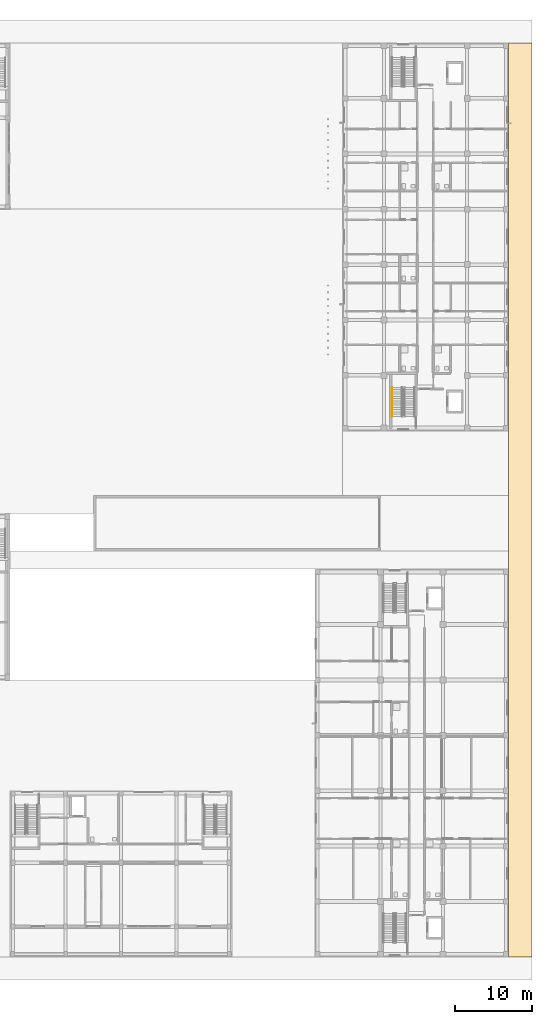
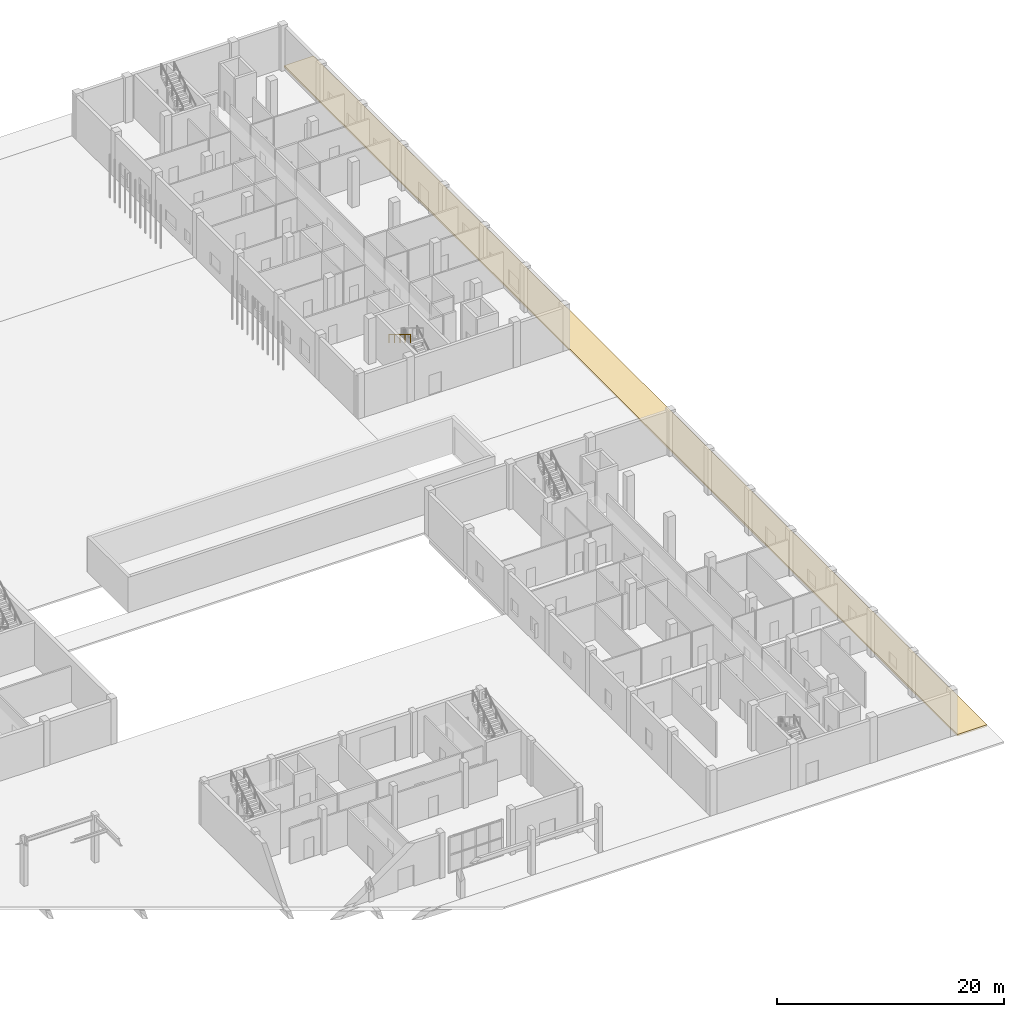
# One storey, part 80 of 85: 1 covering, 1 railing.
"""IFC4 building model written with IfcOpenShell, lengths in metres."""

from ifc_helpers import new_model, si_unit, derived_unit, direction, frame, origin, origin_2d, place, context, subcontext, project, spatial, polyline, circle, outline, extrude, material, layer, layer_set, type_object, element, save


model = new_model("IFC4")

# Units and contexts
model_context = context("Model", 3, precision=1e-05, world=origin(), true_north=direction((0.0, 1.0)))
body_context = subcontext(model_context, "Body", "Model", "MODEL_VIEW")
ifc_project = project(units=[si_unit("LENGTHUNIT", "METRE"), si_unit("AREAUNIT", "SQUARE_METRE"), si_unit("VOLUMEUNIT", "CUBIC_METRE"), si_unit("PLANEANGLEUNIT", "RADIAN"), si_unit("MASSUNIT", "GRAM", prefix="KILO"), derived_unit("THERMALTRANSMITTANCEUNIT", [(si_unit("MASSUNIT", "GRAM", prefix="KILO"), 1), (si_unit("TIMEUNIT", "SECOND"), -3), (si_unit("THERMODYNAMICTEMPERATUREUNIT", "KELVIN"), -1)])], contexts=[model_context])

# Site, building, storey
site_placement = place(None, origin())
site = spatial("IfcSite", under=ifc_project, at=site_placement, CompositionType="ELEMENT")
building_placement = place(site_placement, origin())
building = spatial("IfcBuilding", under=site, at=building_placement, Name="Ochrekiln Boulevard Commons", CompositionType="ELEMENT")
storey_placement = place(building_placement, origin())
storey = spatial("IfcBuildingStorey", under=building, at=storey_placement, Name="L00", CompositionType="ELEMENT", Elevation=0.0)

# Covering
ifc_material_1 = material(Name="Precast concrete C40/50", Category="concrete")
ifc_layer = layer(ifc_material_1, 0.18994140625)
ifc_layer_set = layer_set([ifc_layer], Name="Precast concrete C40/50")
covering_type = type_object("IfcCoveringType", Name="COV-PAV-190", PredefinedType="FLOORING", material=ifc_layer_set)
covering_placement = place(storey_placement, frame((0.0, 0.0, -0.18994140625)))
element("IfcCovering", 1, at=covering_placement, inside=storey, type_object=covering_type, Name="East Street Sidewalk Paving Slab", PredefinedType="FLOORING", context=body_context, shape_type="SweptSolid", body=[
    extrude(outline(polyline([(172.800048828125, 0.0), (175.800048828125, 0.0), (175.800048828125, 118.800048828125), (172.800048828125, 118.800048828125), (172.800048828125, 0.0)])), origin(), (0.0, 0.0, 1.0), 0.18994140625),
])

# Railing
ifc_material_2 = material(Name="Brushed stainless steel 316 tubular railing", Category="steel")
railing_type = type_object("IfcRailingType", Name="RLG-HDR-900", PredefinedType="HANDRAIL", material=ifc_material_2)
railing_placement = place(storey_placement, frame((157.64990234375, 74.0400390625, 2.625)))
element("IfcRailing", 2, at=railing_placement, inside=storey, type_object=railing_type, Name="L00 ST-B1 stair handrail 2", PredefinedType="HANDRAIL", context=body_context, shape_type="SweptSolid", body=[
    extrude(circle(Radius=0.02392578125, at=origin_2d()), frame((0.0, 0.0, 0.8759765625), z_axis=(0.0, -0.856198655849, 0.51664674752), x_axis=(1.0, 0.0, 0.0)), (0.0, 0.0, 1.0), 4.4033203125),
    extrude(circle(Radius=0.02099609375, at=origin_2d()), origin(), (0.0, 0.0, 1.0), 0.851806640625),
    extrude(circle(Radius=0.02099609375, at=origin_2d()), frame((0.0, -0.9423828125, 0.56884765625)), (0.0, 0.0, 1.0), 0.851806640625),
    extrude(circle(Radius=0.02099609375, at=origin_2d()), frame((0.0, -1.885009765625, 1.137451171875)), (0.0, 0.0, 1.0), 0.851806640625),
    extrude(circle(Radius=0.02099609375, at=origin_2d()), frame((0.0, -2.82763671875, 1.7060546875)), (0.0, 0.0, 1.0), 0.851806640625),
    extrude(circle(Radius=0.02099609375, at=origin_2d()), frame((0.0, -3.77001953125, 2.27490234375)), (0.0, 0.0, 1.0), 0.851806640625),
])

save(model, "model.ifc")
